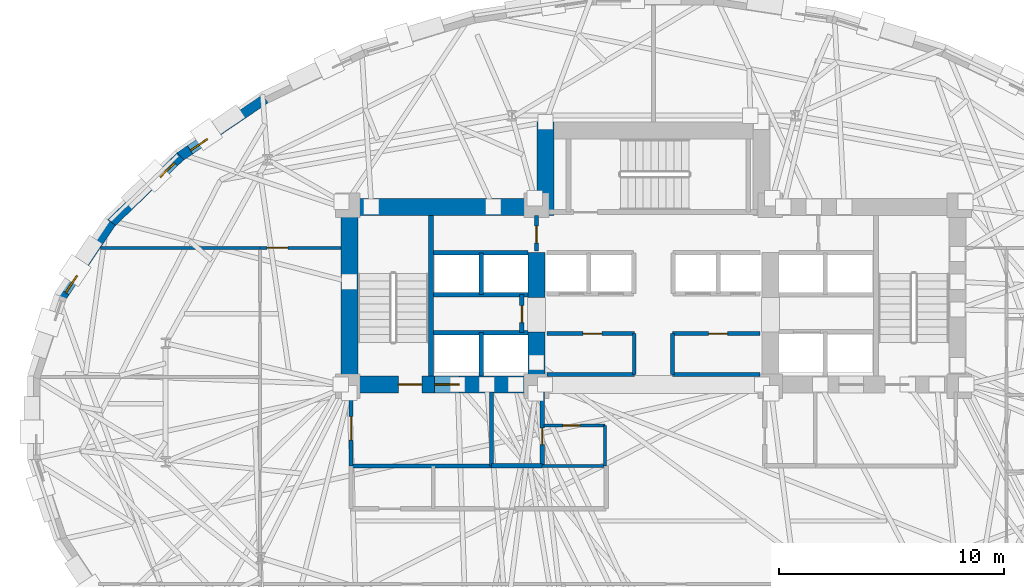
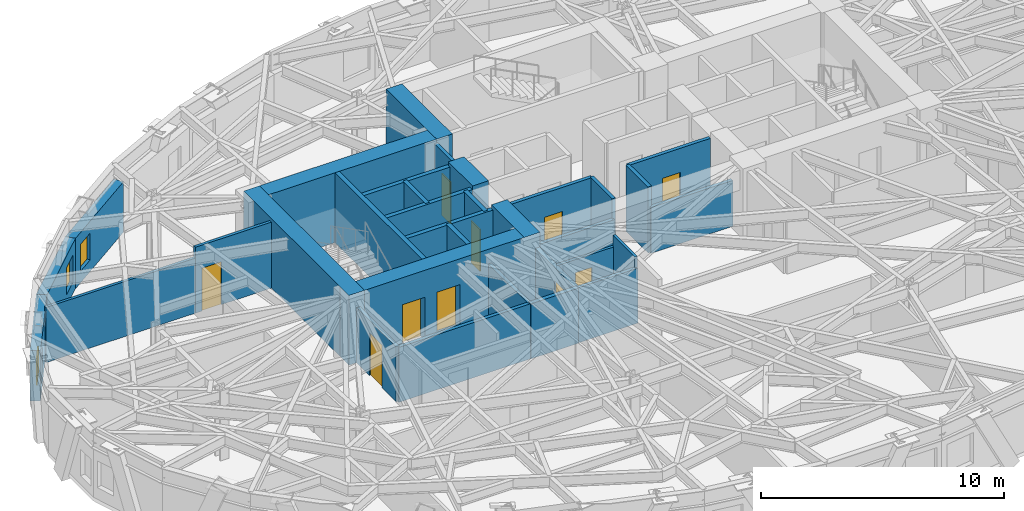
# One storey, part 7 of 14: 33 walls, 10 doors, 3 windows, 13 openings.
"""IFC4 building model written with IfcOpenShell, lengths in metres."""

from ifc_helpers import new_model, si_unit, direction, frame, frame_2d, origin, place, context, subcontext, project, spatial, rectangle, extrude, material, layer, layer_set, type_object, element, fill, save


model = new_model("IFC4")

# Units and contexts
model_context = context("Model", 3, precision=1e-05, world=origin(), true_north=direction((0.0, 1.0)))
body_context = subcontext(model_context, "Body", "Model", "MODEL_VIEW")
ifc_project = project(units=[si_unit("LENGTHUNIT", "METRE"), si_unit("AREAUNIT", "SQUARE_METRE"), si_unit("VOLUMEUNIT", "CUBIC_METRE"), si_unit("PLANEANGLEUNIT", "RADIAN"), si_unit("MASSUNIT", "GRAM", prefix="KILO")], contexts=[model_context])

# Site, building, storey
site_placement = place(None, origin())
site = spatial("IfcSite", under=ifc_project, at=site_placement, CompositionType="ELEMENT")
building_placement = place(site_placement, origin())
building = spatial("IfcBuilding", under=site, at=building_placement, Name="Keldmark Tower", CompositionType="ELEMENT")
storey_placement = place(building_placement, frame((0.0, 0.0, 107.10009765625)))
storey = spatial("IfcBuildingStorey", under=building, at=storey_placement, Name="L28", CompositionType="ELEMENT", Elevation=107.10009765625)

# Wall, opening, door
ifc_material_1 = material(Name="Acoustic Double-Layer Gypsum Corridor Partition", Category="gypsum")
ifc_layer_1 = layer(ifc_material_1, 0.139892578125)
ifc_layer_set_1 = layer_set([ifc_layer_1], Name="Acoustic Double-Layer Gypsum Corridor Partition")
wall_type_1 = type_object("IfcWallType", Name="Acoustic Corridor Partition 140 mm", PredefinedType="PARTITIONING", material=ifc_layer_set_1)
wall_1_placement = place(storey_placement, frame((-17.5, 7.550048828125, 0.0), z_axis=(0.0, 0.0, 1.0), x_axis=(1.0, 0.0, 0.0)))
wall_1 = element("IfcWall", 1, at=wall_1_placement, inside=storey, type_object=wall_type_1, Name="L28 Acoustic Corridor Partition 140 mm COR-WN-CAP", PredefinedType="PARTITIONING", context=body_context, shape_type="SweptSolid", body=[
    extrude(rectangle(XDim=3.60009765625, YDim=0.139892578125, at=frame_2d((1.800048828125, 0.0))), origin(), (0.0, 0.0, 1.0), 3.309814453125),
])
opening_1_placement = place(wall_1_placement, frame((0.320068359375, 0.0, 0.0)))
opening_1 = element("IfcOpeningElement", 2, at=opening_1_placement, cuts=wall_1, Name="Opening D-EX092", PredefinedType="OPENING", context=body_context, shape_type="SweptSolid", body=[
    extrude(rectangle(XDim=0.919921875, YDim=2.14990234375, at=frame_2d((0.4599609375, 1.074951171875))), frame((0.0, 0.079833984375, 0.0), z_axis=(0.0, -1.0, 0.0), x_axis=(1.0, 0.0, 0.0)), (0.0, 0.0, 1.0), 0.159912109375),
])
ifc_material_2 = material(Name="Flush American Ash Executive Office Door", Category="wood")
door_type_1 = type_object("IfcDoorType", Name="Executive Office Door 920x2150", OperationType="NOTDEFINED", PredefinedType="DOOR", material=ifc_material_2)
door_1_placement = place(opening_1_placement, origin())
door_1 = element("IfcDoor", 3, at=door_1_placement, inside=storey, type_object=door_type_1, Name="L28 Executive Office Door 920x2150 D-NRNW-L28", OperationType="SINGLE_SWING_LEFT", OverallHeight=2.14990234375, OverallWidth=0.919921875, PredefinedType="DOOR", context=body_context, shape_type="SweptSolid", body=[
    extrude(rectangle(XDim=0.919921875, YDim=2.14990234375, at=frame_2d((0.4599609375, 1.074951171875))), frame((0.0, 0.02490234375, 0.0), z_axis=(0.0, -1.0, 0.0), x_axis=(1.0, 0.0, 0.0)), (0.0, 0.0, 1.0), 0.050048828125),
])
fill(opening_1, door_1)

ifc_material_3 = material(Name="Acoustic Gypsum Board Interior Partition", Category="gypsum")
ifc_layer_2 = layer(ifc_material_3, 0.1298828125)
ifc_layer_set_2 = layer_set([ifc_layer_2], Name="Acoustic Gypsum Board Interior Partition")
wall_type_2 = type_object("IfcWallType", Name="Interior Partition 130 mm", PredefinedType="PARTITIONING", material=ifc_layer_set_2)
wall_2_placement = place(storey_placement, frame((-4.8798828125, -0.35009765625, 0.0), z_axis=(0.0, 0.0, 1.0), x_axis=(1.0, 0.0, 0.0)))
wall_2 = element("IfcWall", 4, at=wall_2_placement, inside=storey, type_object=wall_type_2, Name="L28 Interior Partition 130 mm CSC-W-N", PredefinedType="PARTITIONING", context=body_context, shape_type="SweptSolid", body=[
    extrude(rectangle(XDim=2.72998046875, YDim=0.1298828125, at=frame_2d((1.364990234375, 0.0))), origin(), (0.0, 0.0, 1.0), 2.762939453125),
])
opening_2_placement = place(wall_2_placement, frame((0.85009765625, 0.0, 0.0)))
opening_2 = element("IfcOpeningElement", 5, at=opening_2_placement, cuts=wall_2, Name="Opening D-CL078", PredefinedType="OPENING", context=body_context, shape_type="SweptSolid", body=[
    extrude(rectangle(XDim=0.780029296875, YDim=2.10009765625, at=frame_2d((0.39013671875, 1.050048828125))), frame((0.0, 0.074951171875, 0.0), z_axis=(0.0, -1.0, 0.0), x_axis=(1.0, 0.0, 0.0)), (0.0, 0.0, 1.0), 0.14990234375),
])
ifc_material_4 = material(Name="Flush Utility Closet Timber Door", Category="wood")
door_type_2 = type_object("IfcDoorType", Name="Closet Door 780x2100", OperationType="NOTDEFINED", PredefinedType="DOOR", material=ifc_material_4)
door_2_placement = place(opening_2_placement, origin())
door_2 = element("IfcDoor", 6, at=door_2_placement, inside=storey, type_object=door_type_2, Name="L28 Closet Door 780x2100 D-CSCW1-L28", OperationType="SINGLE_SWING_RIGHT", OverallHeight=2.10009765625, OverallWidth=0.780029296875, PredefinedType="DOOR", context=body_context, shape_type="SweptSolid", body=[
    extrude(rectangle(XDim=0.780029296875, YDim=2.10009765625, at=frame_2d((0.39013671875, 1.050048828125))), frame((0.0, 0.02490234375, 0.0), z_axis=(0.0, -1.0, 0.0), x_axis=(1.0, 0.0, 0.0)), (0.0, 0.0, 1.0), 0.050048828125),
])
fill(opening_2, door_2)

# Walls
wall_3_placement = place(storey_placement, frame((-2.14990234375, -2.14990234375, 0.0), z_axis=(0.0, 0.0, 1.0), x_axis=(0.0, 1.0, 0.0)))
element("IfcWall", 7, at=wall_3_placement, inside=storey, type_object=wall_type_2, Name="L28 Interior Partition 130 mm CSC-W-E", PredefinedType="PARTITIONING", context=body_context, shape_type="SweptSolid", body=[
    extrude(rectangle(XDim=1.7998046875, YDim=0.1298828125, at=frame_2d((0.89990234375, 0.0))), origin(), (0.0, 0.0, 1.0), 3.309814453125),
])
wall_4_placement = place(storey_placement, frame((-24.588623046875, 7.550048828125, 0.0), z_axis=(0.0, 0.0, 1.0), x_axis=(1.0, 0.0, 0.0)))
element("IfcWall", 8, at=wall_4_placement, inside=storey, type_object=wall_type_2, Name="L28 Interior Partition 130 mm W-CAP-N", PredefinedType="PARTITIONING", context=body_context, shape_type="SweptSolid", body=[
    extrude(rectangle(XDim=7.088623046875, YDim=0.1298828125, at=frame_2d((3.54443359375, 0.0))), origin(), (0.0, 0.0, 1.0), 2.762939453125),
])
ifc_material_5 = material(Name="Concrete C70/85", Category="concrete")
ifc_layer_3 = layer(ifc_material_5, 0.75)
ifc_layer_set_3 = layer_set([ifc_layer_3], Name="Concrete C70/85")
wall_type_3 = type_object("IfcWallType", Name="Low-Mid Core Shear Wall 750 mm", PredefinedType="SHEAR", material=ifc_layer_set_3)
wall_5_placement = place(storey_placement, frame((-13.52490234375, 1.10009765625, 0.0), z_axis=(0.0, 0.0, 1.0), x_axis=(0.0, 1.0, 0.0)))
element("IfcWall", 9, at=wall_5_placement, inside=storey, type_object=wall_type_3, Name="L28 West Core Outer Shear Wall", PredefinedType="SHEAR", context=body_context, shape_type="SweptSolid", body=[
    extrude(rectangle(XDim=8.64990234375, YDim=0.75, at=frame_2d((4.324951171875, 0.0))), origin(), (0.0, 0.0, 1.0), 3.5),
])
wall_6_placement = place(storey_placement, frame((-13.89990234375, 9.375, 0.0), z_axis=(0.0, 0.0, 1.0), x_axis=(1.0, 0.0, 0.0)))
element("IfcWall", 10, at=wall_6_placement, inside=storey, type_object=wall_type_3, Name="L28 West Core North Shear Wall", PredefinedType="SHEAR", context=body_context, shape_type="SweptSolid", body=[
    extrude(rectangle(XDim=9.474853515625, YDim=0.75, at=frame_2d((4.7373046875, 0.0))), origin(), (0.0, 0.0, 1.0), 3.5),
])

# Wall, openings, doors
wall_7_placement = place(storey_placement, frame((-4.824951171875, 1.47509765625, 0.0), z_axis=(0.0, 0.0, 1.0), x_axis=(-1.0, 0.0, 0.0)))
wall_7 = element("IfcWall", 11, at=wall_7_placement, inside=storey, type_object=wall_type_3, Name="L28 West Core South Shear Wall", PredefinedType="SHEAR", context=body_context, shape_type="SweptSolid", body=[
    extrude(rectangle(XDim=9.074951171875, YDim=0.75, at=frame_2d((4.53759765625, 0.0))), origin(), (0.0, 0.0, 1.0), 3.5),
])
opening_3_placement = place(wall_7_placement, frame((5.47509765625, 0.0, 0.0)))
opening_3 = element("IfcOpeningElement", 12, at=opening_3_placement, cuts=wall_7, Name="Opening D-ST105", PredefinedType="OPENING", context=body_context, shape_type="SweptSolid", body=[
    extrude(rectangle(XDim=1.050048828125, YDim=2.14990234375, at=frame_2d((0.52490234375, 1.074951171875))), frame((0.0, 0.385009765625, 0.0), z_axis=(0.0, -1.0, 0.0), x_axis=(1.0, 0.0, 0.0)), (0.0, 0.0, 1.0), 0.77001953125),
])
opening_4_placement = place(wall_7_placement, frame((3.804931640625, 0.0, 0.0)))
opening_4 = element("IfcOpeningElement", 13, at=opening_4_placement, cuts=wall_7, Name="Opening LD-110", PredefinedType="OPENING", context=body_context, shape_type="SweptSolid", body=[
    extrude(rectangle(XDim=1.10009765625, YDim=2.199951171875, at=frame_2d((0.550048828125, 1.10009765625))), frame((0.0, 0.385009765625, 0.0), z_axis=(0.0, -1.0, 0.0), x_axis=(1.0, 0.0, 0.0)), (0.0, 0.0, 1.0), 0.77001953125),
])
ifc_material_6 = material(Name="Brushed Bronze Hoistway Sliding Leaf", Category="metal")
door_type_3 = type_object("IfcDoorType", Name="Lift Landing Sliding Door 1100x2200", OperationType="SLIDING_TO_LEFT", PredefinedType="DOOR", material=ifc_material_6)
door_3_placement = place(opening_4_placement, origin())
door_3 = element("IfcDoor", 14, at=door_3_placement, inside=storey, type_object=door_type_3, Name="L28 Lift Landing Sliding Door 1100x2200 LD-EL-FS1-L28", OperationType="SLIDING_TO_LEFT", OverallHeight=2.199951171875, OverallWidth=1.10009765625, PredefinedType="DOOR", context=body_context, shape_type="SweptSolid", body=[
    extrude(rectangle(XDim=1.10009765625, YDim=2.199951171875, at=frame_2d((0.550048828125, 1.10009765625))), frame((0.0, 0.02490234375, 0.0), z_axis=(0.0, -1.0, 0.0), x_axis=(1.0, 0.0, 0.0)), (0.0, 0.0, 1.0), 0.050048828125),
])
fill(opening_4, door_3)
ifc_material_7 = material(Name="Hollow Metal Fire-Rated Door Assembly", Category="metal")
door_type_4 = type_object("IfcDoorType", Name="Stair Fire Door 1050x2150", OperationType="NOTDEFINED", PredefinedType="DOOR", material=ifc_material_7)
door_4_placement = place(opening_3_placement, origin())
door_4 = element("IfcDoor", 15, at=door_4_placement, inside=storey, type_object=door_type_4, Name="L28 Stair Fire Door 1050x2150 D-ST1-L28", OperationType="SINGLE_SWING_RIGHT", OverallHeight=2.14990234375, OverallWidth=1.050048828125, PredefinedType="DOOR", context=body_context, shape_type="SweptSolid", body=[
    extrude(rectangle(XDim=1.050048828125, YDim=2.14990234375, at=frame_2d((0.52490234375, 1.074951171875))), frame((0.0, 0.02490234375, 0.0), z_axis=(0.0, -1.0, 0.0), x_axis=(1.0, 0.0, 0.0)), (0.0, 0.0, 1.0), 0.050048828125),
])
fill(opening_3, door_4)

# Walls
wall_8_placement = place(storey_placement, frame((-5.199951171875, 1.10009765625, 0.0), z_axis=(0.0, 0.0, 1.0), x_axis=(0.0, 1.0, 0.0)))
element("IfcWall", 16, at=wall_8_placement, inside=storey, type_object=wall_type_3, Name="L28 West Core Inner Shear Pier South", PredefinedType="SHEAR", context=body_context, shape_type="SweptSolid", body=[
    extrude(rectangle(XDim=2.699951171875, YDim=0.75, at=frame_2d((1.35009765625, 0.0))), origin(), (0.0, 0.0, 1.0), 3.5),
])
wall_9_placement = place(storey_placement, frame((-5.199951171875, 5.35009765625, 0.0), z_axis=(0.0, 0.0, 1.0), x_axis=(0.0, 1.0, 0.0)))
element("IfcWall", 17, at=wall_9_placement, inside=storey, type_object=wall_type_3, Name="L28 West Core Inner Shear Pier North", PredefinedType="SHEAR", context=body_context, shape_type="SweptSolid", body=[
    extrude(rectangle(XDim=2.0, YDim=0.75, at=frame_2d((1.0, 0.0))), origin(), (0.0, 0.0, 1.0), 3.5),
])
wall_10_placement = place(storey_placement, frame((-4.800048828125, 9.0, 0.0), z_axis=(0.0, 0.0, 1.0), x_axis=(0.0, 1.0, 0.0)))
element("IfcWall", 18, at=wall_10_placement, inside=storey, type_object=wall_type_3, Name="L28 North Core West Shear Wall", PredefinedType="SHEAR", context=body_context, shape_type="SweptSolid", body=[
    extrude(rectangle(XDim=4.14990234375, YDim=0.75, at=frame_2d((2.074951171875, 0.0))), origin(), (0.0, 0.0, 1.0), 3.5),
])
ifc_material_8 = material(Name="Type X Fire-Rated Gypsum Partition Assembly", Category="gypsum")
ifc_layer_4 = layer(ifc_material_8, 0.1650390625)
ifc_layer_set_4 = layer_set([ifc_layer_4], Name="Type X Fire-Rated Gypsum Partition Assembly")
wall_type_4 = type_object("IfcWallType", Name="Rated Partition 165 mm", PredefinedType="PARTITIONING", material=ifc_layer_set_4)
wall_11_placement = place(storey_placement, frame((-13.449951171875, -2.14990234375, 0.0), z_axis=(0.0, 0.0, 1.0), x_axis=(1.0, 0.0, 0.0)))
element("IfcWall", 19, at=wall_11_placement, inside=storey, type_object=wall_type_4, Name="L28 Rated Partition 165 mm FSAE-W-S", PredefinedType="PARTITIONING", context=body_context, shape_type="SweptSolid", body=[
    extrude(rectangle(XDim=6.25, YDim=0.1650390625, at=frame_2d((3.125, 0.0))), origin(), (0.0, 0.0, 1.0), 2.762939453125),
])

# Wall, opening, door
wall_12_placement = place(storey_placement, frame((-13.449951171875, -2.14990234375, 0.0), z_axis=(0.0, 0.0, 1.0), x_axis=(0.0, 1.0, 0.0)))
wall_12 = element("IfcWall", 20, at=wall_12_placement, inside=storey, type_object=wall_type_4, Name="L28 Rated Partition 165 mm FSAE-W-W", PredefinedType="PARTITIONING", context=body_context, shape_type="SweptSolid", body=[
    extrude(rectangle(XDim=3.2998046875, YDim=0.1650390625, at=frame_2d((1.64990234375, 0.0))), origin(), (0.0, 0.0, 1.0), 2.762939453125),
])
opening_5_placement = place(wall_12_placement, frame((1.14990234375, 0.0, 0.0)))
opening_5 = element("IfcOpeningElement", 21, at=opening_5_placement, cuts=wall_12, Name="Opening D-FL105", PredefinedType="OPENING", context=body_context, shape_type="SweptSolid", body=[
    extrude(rectangle(XDim=1.050048828125, YDim=2.14990234375, at=frame_2d((0.52490234375, 1.074951171875))), frame((0.0, 0.092529296875, 0.0), z_axis=(0.0, -1.0, 0.0), x_axis=(1.0, 0.0, 0.0)), (0.0, 0.0, 1.0), 0.18505859375),
])
ifc_material_9 = material(Name="Fire-Rated Mineral-Core Door and Vision Lite", Category="metal")
door_type_5 = type_object("IfcDoorType", Name="Fire Lobby Door 1050x2150", OperationType="NOTDEFINED", PredefinedType="DOOR", material=ifc_material_9)
door_5_placement = place(opening_5_placement, origin())
door_5 = element("IfcDoor", 22, at=door_5_placement, inside=storey, type_object=door_type_5, Name="L28 Fire Lobby Door 1050x2150 D-FSAEW-OUT-L28", OperationType="SINGLE_SWING_LEFT", OverallHeight=2.14990234375, OverallWidth=1.050048828125, PredefinedType="DOOR", context=body_context, shape_type="SweptSolid", body=[
    extrude(rectangle(XDim=1.050048828125, YDim=2.14990234375, at=frame_2d((0.52490234375, 1.074951171875))), frame((0.0, 0.02490234375, 0.0), z_axis=(0.0, -1.0, 0.0), x_axis=(1.0, 0.0, 0.0)), (0.0, 0.0, 1.0), 0.050048828125),
])
fill(opening_5, door_5)

# Walls
wall_13_placement = place(storey_placement, frame((-7.199951171875, -2.14990234375, 0.0), z_axis=(0.0, 0.0, 1.0), x_axis=(0.0, 1.0, 0.0)))
element("IfcWall", 23, at=wall_13_placement, inside=storey, type_object=wall_type_4, Name="L28 Rated Partition 165 mm FSAE-W-E", PredefinedType="PARTITIONING", context=body_context, shape_type="SweptSolid", body=[
    extrude(rectangle(XDim=3.2998046875, YDim=0.1650390625, at=frame_2d((1.64990234375, 0.0))), origin(), (0.0, 0.0, 1.0), 2.762939453125),
])
wall_14_placement = place(storey_placement, frame((-4.739990234375, 1.919921875, 0.0), z_axis=(0.0, 0.0, 1.0), x_axis=(1.0, 0.0, 0.0)))
element("IfcWall", 24, at=wall_14_placement, inside=storey, type_object=wall_type_4, Name="L28 Rated Partition 165 mm REC-LW-S", PredefinedType="PARTITIONING", context=body_context, shape_type="SweptSolid", body=[
    extrude(rectangle(XDim=3.889892578125, YDim=0.1650390625, at=frame_2d((1.94482421875, 0.0))), origin(), (0.0, 0.0, 1.0), 2.2998046875),
])

# Wall, opening, door
wall_15_placement = place(storey_placement, frame((-4.739990234375, 3.739990234375, 0.0), z_axis=(0.0, 0.0, 1.0), x_axis=(1.0, 0.0, 0.0)))
wall_15 = element("IfcWall", 25, at=wall_15_placement, inside=storey, type_object=wall_type_4, Name="L28 Rated Partition 165 mm REC-LW-N", PredefinedType="PARTITIONING", context=body_context, shape_type="SweptSolid", body=[
    extrude(rectangle(XDim=3.889892578125, YDim=0.1650390625, at=frame_2d((1.94482421875, 0.0))), origin(), (0.0, 0.0, 1.0), 3.309814453125),
])
opening_6_placement = place(wall_15_placement, frame((1.60009765625, 0.0, 0.0)))
opening_6 = element("IfcOpeningElement", 26, at=opening_6_placement, cuts=wall_15, Name="Opening D-SV085", PredefinedType="OPENING", context=body_context, shape_type="SweptSolid", body=[
    extrude(rectangle(XDim=0.85009765625, YDim=2.10009765625, at=frame_2d((0.425048828125, 1.050048828125))), frame((0.0, 0.092529296875, 0.0), z_axis=(0.0, -1.0, 0.0), x_axis=(1.0, 0.0, 0.0)), (0.0, 0.0, 1.0), 0.18505859375),
])
ifc_material_10 = material(Name="Painted Hollow Metal Door Assembly", Category="metal")
door_type_6 = type_object("IfcDoorType", Name="Service Door 850x2100", OperationType="NOTDEFINED", PredefinedType="DOOR", material=ifc_material_10)
door_6_placement = place(opening_6_placement, origin())
door_6 = element("IfcDoor", 27, at=door_6_placement, inside=storey, type_object=door_type_6, Name="L28 Service Door 850x2100 D-RECLW1-L28", OperationType="SINGLE_SWING_LEFT", OverallHeight=2.10009765625, OverallWidth=0.85009765625, PredefinedType="DOOR", context=body_context, shape_type="SweptSolid", body=[
    extrude(rectangle(XDim=0.85009765625, YDim=2.10009765625, at=frame_2d((0.425048828125, 1.050048828125))), frame((0.0, 0.02490234375, 0.0), z_axis=(0.0, -1.0, 0.0), x_axis=(1.0, 0.0, 0.0)), (0.0, 0.0, 1.0), 0.050048828125),
])
fill(opening_6, door_6)

# Walls
wall_16_placement = place(storey_placement, frame((-0.85009765625, 1.919921875, 0.0), z_axis=(0.0, 0.0, 1.0), x_axis=(0.0, 1.0, 0.0)))
element("IfcWall", 28, at=wall_16_placement, inside=storey, type_object=wall_type_4, Name="L28 Rated Partition 165 mm REC-LW-E", PredefinedType="PARTITIONING", context=body_context, shape_type="SweptSolid", body=[
    extrude(rectangle(XDim=1.820068359375, YDim=0.1650390625, at=frame_2d((0.91015625, 0.0))), origin(), (0.0, 0.0, 1.0), 3.309814453125),
])
wall_17_placement = place(storey_placement, frame((0.85009765625, 1.919921875, 0.0), z_axis=(0.0, 0.0, 1.0), x_axis=(1.0, 0.0, 0.0)))
element("IfcWall", 29, at=wall_17_placement, inside=storey, type_object=wall_type_4, Name="L28 Rated Partition 165 mm REC-LE-S", PredefinedType="PARTITIONING", context=body_context, shape_type="SweptSolid", body=[
    extrude(rectangle(XDim=3.889892578125, YDim=0.1650390625, at=frame_2d((1.94482421875, 0.0))), origin(), (0.0, 0.0, 1.0), 2.2998046875),
])

# Wall, opening, door
wall_18_placement = place(storey_placement, frame((0.85009765625, 3.739990234375, 0.0), z_axis=(0.0, 0.0, 1.0), x_axis=(1.0, 0.0, 0.0)))
wall_18 = element("IfcWall", 30, at=wall_18_placement, inside=storey, type_object=wall_type_4, Name="L28 Rated Partition 165 mm REC-LE-N", PredefinedType="PARTITIONING", context=body_context, shape_type="SweptSolid", body=[
    extrude(rectangle(XDim=3.889892578125, YDim=0.1650390625, at=frame_2d((1.94482421875, 0.0))), origin(), (0.0, 0.0, 1.0), 3.309814453125),
])
opening_7_placement = place(wall_18_placement, frame((1.60009765625, 0.0, 0.0)))
opening_7 = element("IfcOpeningElement", 31, at=opening_7_placement, cuts=wall_18, Name="Opening D-SV085", PredefinedType="OPENING", context=body_context, shape_type="SweptSolid", body=[
    extrude(rectangle(XDim=0.85009765625, YDim=2.10009765625, at=frame_2d((0.425048828125, 1.050048828125))), frame((0.0, 0.092529296875, 0.0), z_axis=(0.0, -1.0, 0.0), x_axis=(1.0, 0.0, 0.0)), (0.0, 0.0, 1.0), 0.18505859375),
])
door_7_placement = place(opening_7_placement, origin())
door_7 = element("IfcDoor", 32, at=door_7_placement, inside=storey, type_object=door_type_6, Name="L28 Service Door 850x2100 D-RECLE1-L28", OperationType="SINGLE_SWING_RIGHT", OverallHeight=2.10009765625, OverallWidth=0.85009765625, PredefinedType="DOOR", context=body_context, shape_type="SweptSolid", body=[
    extrude(rectangle(XDim=0.85009765625, YDim=2.10009765625, at=frame_2d((0.425048828125, 1.050048828125))), frame((0.0, 0.02490234375, 0.0), z_axis=(0.0, -1.0, 0.0), x_axis=(1.0, 0.0, 0.0)), (0.0, 0.0, 1.0), 0.050048828125),
])
fill(opening_7, door_7)

# Wall
wall_19_placement = place(storey_placement, frame((0.85009765625, 1.919921875, 0.0), z_axis=(0.0, 0.0, 1.0), x_axis=(0.0, 1.0, 0.0)))
element("IfcWall", 33, at=wall_19_placement, inside=storey, type_object=wall_type_4, Name="L28 Rated Partition 165 mm REC-LE-W", PredefinedType="PARTITIONING", context=body_context, shape_type="SweptSolid", body=[
    extrude(rectangle(XDim=1.820068359375, YDim=0.1650390625, at=frame_2d((0.91015625, 0.0))), origin(), (0.0, 0.0, 1.0), 3.309814453125),
])

# Wall, opening, door
wall_20_placement = place(storey_placement, frame((-5.199951171875, 7.419921875, 0.0), z_axis=(0.0, 0.0, 1.0), x_axis=(0.0, 1.0, 0.0)))
wall_20 = element("IfcWall", 34, at=wall_20_placement, inside=storey, type_object=wall_type_4, Name="L28 Rated Partition 165 mm CS-NW-E", PredefinedType="PARTITIONING", context=body_context, shape_type="SweptSolid", body=[
    extrude(rectangle(XDim=1.580078125, YDim=0.1650390625, at=frame_2d((0.7900390625, 0.0))), origin(), (0.0, 0.0, 1.0), 3.309814453125),
])
opening_8_placement = place(wall_20_placement, frame((0.35009765625, 0.0, 0.0)))
opening_8 = element("IfcOpeningElement", 35, at=opening_8_placement, cuts=wall_20, Name="Opening D-RS075", PredefinedType="OPENING", context=body_context, shape_type="SweptSolid", body=[
    extrude(rectangle(XDim=0.75, YDim=2.10009765625, at=frame_2d((0.375, 1.050048828125))), frame((0.0, 0.092529296875, 0.0), z_axis=(0.0, -1.0, 0.0), x_axis=(1.0, 0.0, 0.0)), (0.0, 0.0, 1.0), 0.18505859375),
])
ifc_material_11 = material(Name="Galvanized Fire-Rated Access Leaf", Category="metal")
door_type_7 = type_object("IfcDoorType", Name="Riser Access Door 750x2100", OperationType="NOTDEFINED", PredefinedType="DOOR", material=ifc_material_11)
door_8_placement = place(opening_8_placement, origin())
door_8 = element("IfcDoor", 36, at=door_8_placement, inside=storey, type_object=door_type_7, Name="L28 Riser Access Door 750x2100 D-CSNW1-L28", OperationType="SINGLE_SWING_LEFT", OverallHeight=2.10009765625, OverallWidth=0.75, PredefinedType="DOOR", context=body_context, shape_type="SweptSolid", body=[
    extrude(rectangle(XDim=0.75, YDim=2.10009765625, at=frame_2d((0.375, 1.050048828125))), frame((0.0, 0.02490234375, 0.0), z_axis=(0.0, -1.0, 0.0), x_axis=(1.0, 0.0, 0.0)), (0.0, 0.0, 1.0), 0.050048828125),
])
fill(opening_8, door_8)

# Wall
ifc_material_12 = material(Name="Fire-Resistant Type X Gypsum Shaftliner Coreboard", Category="gypsum")
ifc_layer_5 = layer(ifc_material_12, 0.199951171875)
ifc_layer_set_5 = layer_set([ifc_layer_5], Name="Fire-Resistant Type X Gypsum Shaftliner Coreboard")
wall_type_5 = type_object("IfcWallType", Name="Shaft Wall 200 mm", PredefinedType="SOLIDWALL", material=ifc_layer_set_5)
wall_21_placement = place(storey_placement, frame((-7.199951171875, -2.14990234375, 0.0), z_axis=(0.0, 0.0, 1.0), x_axis=(1.0, 0.0, 0.0)))
element("IfcWall", 37, at=wall_21_placement, inside=storey, type_object=wall_type_5, Name="L28 Shaft Wall 200 mm RIS-SW-S", PredefinedType="SOLIDWALL", context=body_context, shape_type="SweptSolid", body=[
    extrude(rectangle(XDim=2.25, YDim=0.199951171875, at=frame_2d((1.125, 0.0))), origin(), (0.0, 0.0, 1.0), 2.762939453125),
])

# Wall, opening, door
wall_22_placement = place(storey_placement, frame((-4.949951171875, -2.14990234375, 0.0), z_axis=(0.0, 0.0, 1.0), x_axis=(0.0, 1.0, 0.0)))
wall_22 = element("IfcWall", 38, at=wall_22_placement, inside=storey, type_object=wall_type_5, Name="L28 Shaft Wall 200 mm RIS-SW-E", PredefinedType="SOLIDWALL", context=body_context, shape_type="SweptSolid", body=[
    extrude(rectangle(XDim=3.2998046875, YDim=0.199951171875, at=frame_2d((1.64990234375, 0.0))), origin(), (0.0, 0.0, 1.0), 2.762939453125),
])
opening_9_placement = place(wall_22_placement, frame((0.949951171875, 0.0, 0.0)))
opening_9 = element("IfcOpeningElement", 39, at=opening_9_placement, cuts=wall_22, Name="Opening D-RS075", PredefinedType="OPENING", context=body_context, shape_type="SweptSolid", body=[
    extrude(rectangle(XDim=0.75, YDim=2.10009765625, at=frame_2d((0.375, 1.050048828125))), frame((0.0, 0.10986328125, 0.0), z_axis=(0.0, -1.0, 0.0), x_axis=(1.0, 0.0, 0.0)), (0.0, 0.0, 1.0), 0.219970703125),
])
door_9_placement = place(opening_9_placement, origin())
door_9 = element("IfcDoor", 40, at=door_9_placement, inside=storey, type_object=door_type_7, Name="L28 Riser Access Door 750x2100 D-RISSW-L28", OperationType="SINGLE_SWING_RIGHT", OverallHeight=2.10009765625, OverallWidth=0.75, PredefinedType="DOOR", context=body_context, shape_type="SweptSolid", body=[
    extrude(rectangle(XDim=0.75, YDim=2.10009765625, at=frame_2d((0.375, 1.050048828125))), frame((0.0, 0.02490234375, 0.0), z_axis=(0.0, -1.0, 0.0), x_axis=(1.0, 0.0, 0.0)), (0.0, 0.0, 1.0), 0.050048828125),
])
fill(opening_9, door_9)

# Walls
wall_23_placement = place(storey_placement, frame((-9.780029296875, 3.780029296875, 0.0), z_axis=(0.0, 0.0, 1.0), x_axis=(1.0, 0.0, 0.0)))
element("IfcWall", 41, at=wall_23_placement, inside=storey, type_object=wall_type_5, Name="L28 Shaft Wall 200 mm HW-W-S", PredefinedType="SOLIDWALL", context=body_context, shape_type="SweptSolid", body=[
    extrude(rectangle(XDim=4.205078125, YDim=0.199951171875, at=frame_2d((2.1025390625, 0.0))), origin(), (0.0, 0.0, 1.0), 3.309814453125),
])
wall_24_placement = place(storey_placement, frame((-7.64990234375, 1.85009765625, 0.0), z_axis=(0.0, 0.0, 1.0), x_axis=(0.0, 1.0, 0.0)))
element("IfcWall", 42, at=wall_24_placement, inside=storey, type_object=wall_type_5, Name="L28 Shaft Wall 200 mm HW-W-M", PredefinedType="SOLIDWALL", context=body_context, shape_type="SweptSolid", body=[
    extrude(rectangle(XDim=1.929931640625, YDim=0.199951171875, at=frame_2d((0.96484375, 0.0))), origin(), (0.0, 0.0, 1.0), 3.309814453125),
])
for number, where, z_axis, x_axis, name in (
    (43, (-9.780029296875, 5.469970703125, 0.0), (0.0, 0.0, 1.0), (1.0, 0.0, 0.0), "L28 Shaft Wall 200 mm HW-W-N"),
    (44, (-9.780029296875, 7.330078125, 0.0), (0.0, 0.0, 1.0), (1.0, 0.0, 0.0), "L28 Shaft Wall 200 mm HW-W-TOP"),
):
    element("IfcWall", number, at=place(storey_placement, frame(where, z_axis=z_axis, x_axis=x_axis)), inside=storey, type_object=wall_type_5, Name=name, PredefinedType="SOLIDWALL", context=body_context, shape_type="SweptSolid", body=[
        extrude(rectangle(XDim=4.205078125, YDim=0.199951171875, at=frame_2d((2.1025390625, 0.0))), origin(), (0.0, 0.0, 1.0), 3.309814453125),
    ])
wall_25_placement = place(storey_placement, frame((-7.64990234375, 5.469970703125, 0.0), z_axis=(0.0, 0.0, 1.0), x_axis=(0.0, 1.0, 0.0)))
element("IfcWall", 45, at=wall_25_placement, inside=storey, type_object=wall_type_5, Name="L28 Shaft Wall 200 mm HW-W-NM", PredefinedType="SOLIDWALL", context=body_context, shape_type="SweptSolid", body=[
    extrude(rectangle(XDim=1.860107421875, YDim=0.199951171875, at=frame_2d((0.93017578125, 0.0))), origin(), (0.0, 0.0, 1.0), 3.309814453125),
])

# Wall, opening, door
wall_26_placement = place(storey_placement, frame((-5.85009765625, 3.780029296875, 0.0), z_axis=(0.0, 0.0, 1.0), x_axis=(0.0, 1.0, 0.0)))
wall_26 = element("IfcWall", 46, at=wall_26_placement, inside=storey, type_object=wall_type_5, Name="L28 Shaft Wall 200 mm HW-W-CLOSE", PredefinedType="SOLIDWALL", context=body_context, shape_type="SweptSolid", body=[
    extrude(rectangle(XDim=1.68994140625, YDim=0.199951171875, at=frame_2d((0.844970703125, 0.0))), origin(), (0.0, 0.0, 1.0), 3.309814453125),
])
opening_10_placement = place(wall_26_placement, frame((0.449951171875, 0.0, 0.0)))
opening_10 = element("IfcOpeningElement", 47, at=opening_10_placement, cuts=wall_26, Name="Opening D-RS075", PredefinedType="OPENING", context=body_context, shape_type="SweptSolid", body=[
    extrude(rectangle(XDim=0.75, YDim=2.10009765625, at=frame_2d((0.375, 1.050048828125))), frame((0.0, 0.10986328125, 0.0), z_axis=(0.0, -1.0, 0.0), x_axis=(1.0, 0.0, 0.0)), (0.0, 0.0, 1.0), 0.219970703125),
])
door_10_placement = place(opening_10_placement, origin())
door_10 = element("IfcDoor", 48, at=door_10_placement, inside=storey, type_object=door_type_7, Name="L28 Riser Access Door 750x2100 D-RISHW-L28", OperationType="SINGLE_SWING_RIGHT", OverallHeight=2.10009765625, OverallWidth=0.75, PredefinedType="DOOR", context=body_context, shape_type="SweptSolid", body=[
    extrude(rectangle(XDim=0.75, YDim=2.10009765625, at=frame_2d((0.375, 1.050048828125))), frame((0.0, 0.02490234375, 0.0), z_axis=(0.0, -1.0, 0.0), x_axis=(1.0, 0.0, 0.0)), (0.0, 0.0, 1.0), 0.050048828125),
])
fill(opening_10, door_10)

# Wall
ifc_material_13 = material(Name="Concrete C50/60", Category="concrete")
ifc_layer_6 = layer(ifc_material_13, 0.219970703125)
ifc_layer_set_6 = layer_set([ifc_layer_6], Name="Concrete C50/60")
wall_type_6 = type_object("IfcWallType", Name="Stair Core Shear Wall 220 mm", PredefinedType="SHEAR", material=ifc_layer_set_6)
wall_27_placement = place(storey_placement, frame((-9.889892578125, 1.85009765625, 0.0), z_axis=(0.0, 0.0, 1.0), x_axis=(0.0, 1.0, 0.0)))
element("IfcWall", 49, at=wall_27_placement, inside=storey, type_object=wall_type_6, Name="L28 West Stair Core Shear Wall", PredefinedType="SHEAR", context=body_context, shape_type="SweptSolid", body=[
    extrude(rectangle(XDim=7.14990234375, YDim=0.219970703125, at=frame_2d((3.574951171875, 0.0))), origin(), (0.0, 0.0, 1.0), 3.5),
])

# Wall, opening, window
ifc_material_14 = material(Name="Ironspot Manganese Brick and Kasota Buff Limestone Spandrel Assembly", Category="masonry")
ifc_layer_7 = layer(ifc_material_14, 0.43994140625)
ifc_layer_set_7 = layer_set([ifc_layer_7], Name="Ironspot Manganese Brick and Kasota Buff Limestone Spandrel Assembly")
wall_type_7 = type_object("IfcWallType", Name="Tower Brick Pier and Spandrel Wall 440 mm", PredefinedType="STANDARD", material=ifc_layer_set_7)
wall_28_placement = place(storey_placement, frame((-21.066162109375, 11.6064453125, 0.0), z_axis=(0.0, 0.0, 1.0), x_axis=(0.827754551165, 0.56109036975, 0.0)))
wall_28 = element("IfcWall", 50, at=wall_28_placement, inside=storey, type_object=wall_type_7, Name="L28 Exterior Brick and Spandrel Wall 12", PredefinedType="STANDARD", context=body_context, shape_type="SweptSolid", body=[
    extrude(rectangle(XDim=4.590576171875, YDim=0.43994140625, at=frame_2d((2.29541015625, 0.0))), origin(), (0.0, 0.0, 1.0), 2.52783203125),
])
opening_11_placement = place(wall_28_placement, frame((0.549072265625, 0.0, 0.580078125)))
opening_11 = element("IfcOpeningElement", 51, at=opening_11_placement, cuts=wall_28, Name="Opening W-09", PredefinedType="OPENING", context=body_context, shape_type="SweptSolid", body=[
    extrude(rectangle(XDim=0.89990234375, YDim=1.35009765625, at=frame_2d((0.449951171875, 0.675048828125))), frame((0.0, 0.22998046875, 0.0), z_axis=(0.0, -1.0, 0.0), x_axis=(1.0, 0.0, 0.0)), (0.0, 0.0, 1.0), 0.4599609375),
])
ifc_material_15 = material(Name="Thermally Broken Anodized Aluminum and Triple Low-E Argon Glazing", Category="aluminium")
window_type = type_object("IfcWindowType", Name="Corner Pier Deep-Set Window 900x1350", PartitioningType="SINGLE_PANEL", PredefinedType="WINDOW", material=ifc_material_15)
window_1_placement = place(opening_11_placement, origin())
window_1 = element("IfcWindow", 52, at=window_1_placement, inside=storey, type_object=window_type, Name="L28 Deep-Set Window 12", OverallHeight=1.35009765625, OverallWidth=0.89990234375, PartitioningType="SINGLE_PANEL", PredefinedType="WINDOW", context=body_context, shape_type="SweptSolid", body=[
    extrude(rectangle(XDim=0.89990234375, YDim=1.35009765625, at=frame_2d((0.449951171875, 0.675048828125))), frame((0.0, -0.010009765625, 0.0), z_axis=(0.0, -1.0, 0.0), x_axis=(1.0, 0.0, 0.0)), (0.0, 0.0, 1.0), 0.06005859375),
])
fill(opening_11, window_1)

wall_29_placement = place(storey_placement, frame((-24.140380859375, 8.643798828125, 0.0), z_axis=(0.0, 0.0, 1.0), x_axis=(0.720581378362, 0.693370375166, 0.0)))
wall_29 = element("IfcWall", 53, at=wall_29_placement, inside=storey, type_object=wall_type_7, Name="L28 Exterior Brick and Spandrel Wall 13", PredefinedType="STANDARD", context=body_context, shape_type="SweptSolid", body=[
    extrude(rectangle(XDim=4.306640625, YDim=0.43994140625, at=frame_2d((2.1533203125, 0.0))), origin(), (0.0, 0.0, 1.0), 2.52783203125),
])
opening_12_placement = place(wall_29_placement, frame((3.009521484375, 0.0, 0.580078125)))
opening_12 = element("IfcOpeningElement", 54, at=opening_12_placement, cuts=wall_29, Name="Opening W-09", PredefinedType="OPENING", context=body_context, shape_type="SweptSolid", body=[
    extrude(rectangle(XDim=0.89990234375, YDim=1.35009765625, at=frame_2d((0.449951171875, 0.675048828125))), frame((0.0, 0.22998046875, 0.0), z_axis=(0.0, -1.0, 0.0), x_axis=(1.0, 0.0, 0.0)), (0.0, 0.0, 1.0), 0.4599609375),
])
window_2_placement = place(opening_12_placement, origin())
window_2 = element("IfcWindow", 55, at=window_2_placement, inside=storey, type_object=window_type, Name="L28 Deep-Set Window 13", OverallHeight=1.35009765625, OverallWidth=0.89990234375, PartitioningType="SINGLE_PANEL", PredefinedType="WINDOW", context=body_context, shape_type="SweptSolid", body=[
    extrude(rectangle(XDim=0.89990234375, YDim=1.35009765625, at=frame_2d((0.449951171875, 0.675048828125))), frame((0.0, -0.010009765625, 0.0), z_axis=(0.0, -1.0, 0.0), x_axis=(1.0, 0.0, 0.0)), (0.0, 0.0, 1.0), 0.06005859375),
])
fill(opening_12, window_2)

wall_30_placement = place(storey_placement, frame((-26.339599609375, 5.332275390625, 0.0), z_axis=(0.0, 0.0, 1.0), x_axis=(0.554293965046, 0.83232097193, 0.0)))
wall_30 = element("IfcWall", 56, at=wall_30_placement, inside=storey, type_object=wall_type_7, Name="L28 Exterior Brick and Spandrel Wall 14", PredefinedType="STANDARD", context=body_context, shape_type="SweptSolid", body=[
    extrude(rectangle(XDim=4.022705078125, YDim=0.43994140625, at=frame_2d((2.01123046875, 0.0))), origin(), (0.0, 0.0, 1.0), 2.52783203125),
])
opening_13_placement = place(wall_30_placement, frame((0.299072265625, 0.0, 0.580078125)))
opening_13 = element("IfcOpeningElement", 57, at=opening_13_placement, cuts=wall_30, Name="Opening W-09", PredefinedType="OPENING", context=body_context, shape_type="SweptSolid", body=[
    extrude(rectangle(XDim=0.89990234375, YDim=1.35009765625, at=frame_2d((0.449951171875, 0.675048828125))), frame((0.0, 0.22998046875, 0.0), z_axis=(0.0, -1.0, 0.0), x_axis=(1.0, 0.0, 0.0)), (0.0, 0.0, 1.0), 0.4599609375),
])
window_3_placement = place(opening_13_placement, origin())
window_3 = element("IfcWindow", 58, at=window_3_placement, inside=storey, type_object=window_type, Name="L28 Deep-Set Window 14", OverallHeight=1.35009765625, OverallWidth=0.89990234375, PartitioningType="SINGLE_PANEL", PredefinedType="WINDOW", context=body_context, shape_type="SweptSolid", body=[
    extrude(rectangle(XDim=0.89990234375, YDim=1.35009765625, at=frame_2d((0.449951171875, 0.675048828125))), frame((0.0, -0.010009765625, 0.0), z_axis=(0.0, -1.0, 0.0), x_axis=(1.0, 0.0, 0.0)), (0.0, 0.0, 1.0), 0.06005859375),
])
fill(opening_13, window_3)

# Wall
ifc_material_16 = material(Name="Moisture-Resistant Gypsum Plumbing Partition", Category="gypsum")
ifc_layer_8 = layer(ifc_material_16, 0.14990234375)
ifc_layer_set_8 = layer_set([ifc_layer_8], Name="Moisture-Resistant Gypsum Plumbing Partition")
wall_type_8 = type_object("IfcWallType", Name="Wet Wall 150 mm", PredefinedType="PLUMBINGWALL", material=ifc_layer_set_8)
wall_31_placement = place(storey_placement, frame((-4.949951171875, -2.14990234375, 0.0), z_axis=(0.0, 0.0, 1.0), x_axis=(1.0, 0.0, 0.0)))
element("IfcWall", 59, at=wall_31_placement, inside=storey, type_object=wall_type_8, Name="L28 Wet Wall 150 mm SPK-W-N", PredefinedType="PLUMBINGWALL", context=body_context, shape_type="SweptSolid", body=[
    extrude(rectangle(XDim=2.849853515625, YDim=0.14990234375, at=frame_2d((1.4248046875, 0.0))), origin(), (0.0, 0.0, 1.0), 2.762939453125),
])

save(model, "model.ifc")
